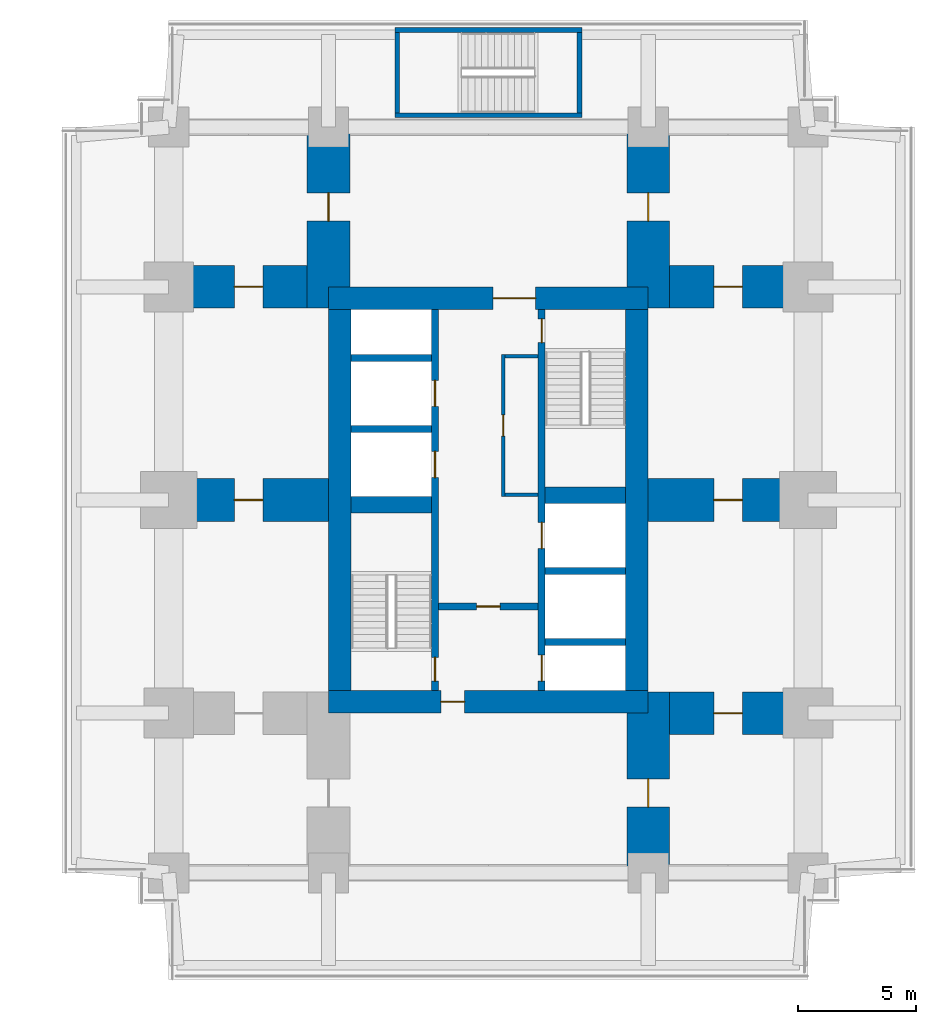
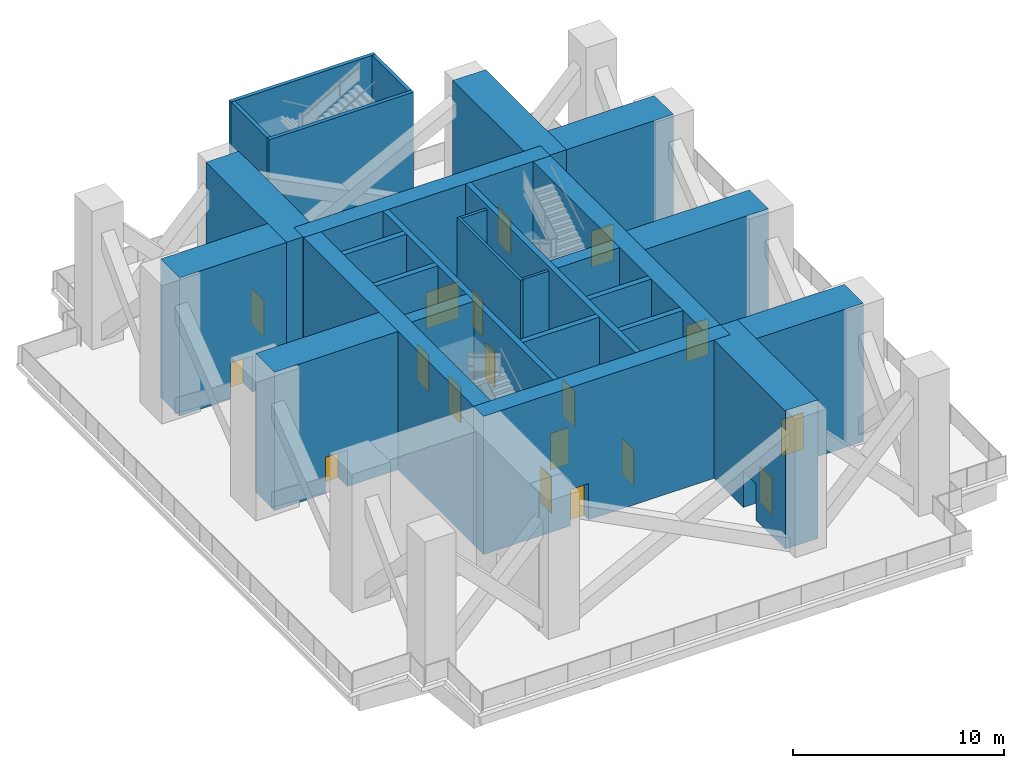
# One storey, part 5 of 12: 28 walls, 18 doors, 18 openings.
"""IFC4 building model written with IfcOpenShell, lengths in metres."""

from ifc_helpers import new_model, si_unit, direction, frame, frame_2d, origin, place, context, subcontext, project, spatial, rectangle, extrude, material, layer, layer_set, type_object, element, fill, save


model = new_model("IFC4")

# Units and contexts
model_context = context("Model", 3, precision=1e-05, world=origin(), true_north=direction((0.0, 1.0)))
body_context = subcontext(model_context, "Body", "Model", "MODEL_VIEW")
ifc_project = project(units=[si_unit("LENGTHUNIT", "METRE"), si_unit("AREAUNIT", "SQUARE_METRE"), si_unit("VOLUMEUNIT", "CUBIC_METRE"), si_unit("PLANEANGLEUNIT", "RADIAN"), si_unit("MASSUNIT", "GRAM", prefix="KILO")], contexts=[model_context])

# Site, building, storey
site_placement = place(None, origin())
site = spatial("IfcSite", under=ifc_project, at=site_placement, CompositionType="ELEMENT")
building_placement = place(site_placement, origin())
building = spatial("IfcBuilding", under=site, at=building_placement, Name="Namib Vertical Campus", CompositionType="ELEMENT")
storey_placement = place(building_placement, frame((0.0, 0.0, 77.0)))
storey = spatial("IfcBuildingStorey", under=building, at=storey_placement, Name="L18", CompositionType="ELEMENT", Elevation=77.0)

# Wall, openings, doors
ifc_material_1 = material(Name="Concrete C60/75", Category="concrete")
ifc_layer_1 = layer(ifc_material_1, 0.300048828125)
ifc_layer_set_1 = layer_set([ifc_layer_1], Name="Concrete C60/75")
wall_type_1 = type_object("IfcWallType", Name="Core inner wall 300", PredefinedType="SHEAR", material=ifc_layer_set_1)
wall_1_placement = place(storey_placement, frame((78.75, 12.199951171875, 0.0), z_axis=(0.0, 0.0, 1.0), x_axis=(0.0, 1.0, 0.0)))
wall_1 = element("IfcWall", 1, at=wall_1_placement, inside=storey, type_object=wall_type_1, Name="Core inner wall B L18 W1", PredefinedType="SHEAR", context=body_context, shape_type="SweptSolid", body=[
    extrude(rectangle(XDim=16.10009765625, YDim=0.300048828125, at=frame_2d((8.050048828125, 0.0))), origin(), (0.0, 0.0, 1.0), 8.0),
])
opening_1_placement = place(wall_1_placement, frame((0.39990234375, 0.0, 0.0)))
opening_1 = element("IfcOpeningElement", 2, at=opening_1_placement, cuts=wall_1, Name="Opening FD1", PredefinedType="OPENING", context=body_context, shape_type="SweptSolid", body=[
    extrude(rectangle(XDim=1.0, YDim=2.10009765625, at=frame_2d((0.5, 1.050048828125))), frame((0.0, 0.159912109375, 0.0), z_axis=(0.0, -1.0, 0.0), x_axis=(1.0, 0.0, 0.0)), (0.0, 0.0, 1.0), 0.320068359375),
])
opening_2_placement = place(wall_1_placement, frame((9.0, 0.0, 0.0)))
opening_2 = element("IfcOpeningElement", 3, at=opening_2_placement, cuts=wall_1, Name="Opening LD1", PredefinedType="OPENING", context=body_context, shape_type="SweptSolid", body=[
    extrude(rectangle(XDim=1.10009765625, YDim=2.10009765625, at=frame_2d((0.550048828125, 1.050048828125))), frame((0.0, 0.159912109375, 0.0), z_axis=(0.0, -1.0, 0.0), x_axis=(1.0, 0.0, 0.0)), (0.0, 0.0, 1.0), 0.320068359375),
])
opening_3_placement = place(wall_1_placement, frame((12.0, 0.0, 0.0)))
opening_3 = element("IfcOpeningElement", 4, at=opening_3_placement, cuts=wall_1, Name="Opening LD1", PredefinedType="OPENING", context=body_context, shape_type="SweptSolid", body=[
    extrude(rectangle(XDim=1.10009765625, YDim=2.10009765625, at=frame_2d((0.550048828125, 1.050048828125))), frame((0.0, 0.159912109375, 0.0), z_axis=(0.0, -1.0, 0.0), x_axis=(1.0, 0.0, 0.0)), (0.0, 0.0, 1.0), 0.320068359375),
])
ifc_material_2 = material(Name="Steel fire door", Category="steel")
door_type_1 = type_object("IfcDoorType", Name="Fire door 1000x2100", OperationType="SINGLE_SWING_RIGHT", PredefinedType="DOOR", material=ifc_material_2)
door_1_placement = place(opening_1_placement, origin())
door_1 = element("IfcDoor", 5, at=door_1_placement, inside=storey, type_object=door_type_1, Name="Stair door FD1 B L18 S1", OperationType="SINGLE_SWING_LEFT", OverallHeight=2.10009765625, OverallWidth=1.0, PredefinedType="DOOR", context=body_context, shape_type="SweptSolid", body=[
    extrude(rectangle(XDim=1.0, YDim=2.10009765625, at=frame_2d((0.5, 1.050048828125))), frame((0.0, 0.02490234375, 0.0), z_axis=(0.0, -1.0, 0.0), x_axis=(1.0, 0.0, 0.0)), (0.0, 0.0, 1.0), 0.050048828125),
])
fill(opening_1, door_1)
ifc_material_3 = material(Name="Stainless steel lift door", Category="steel")
door_type_2 = type_object("IfcDoorType", Name="Lift landing door 1100x2100", OperationType="DOUBLE_DOOR_SLIDING", PredefinedType="DOOR", material=ifc_material_3)
door_2_placement = place(opening_2_placement, origin())
door_2 = element("IfcDoor", 6, at=door_2_placement, inside=storey, type_object=door_type_2, Name="Lift landing door LD1 B-P1 L18", OperationType="DOUBLE_DOOR_SLIDING", OverallHeight=2.10009765625, OverallWidth=1.10009765625, PredefinedType="DOOR", context=body_context, shape_type="SweptSolid", body=[
    extrude(rectangle(XDim=1.10009765625, YDim=2.10009765625, at=frame_2d((0.550048828125, 1.050048828125))), frame((0.0, 0.02490234375, 0.0), z_axis=(0.0, -1.0, 0.0), x_axis=(1.0, 0.0, 0.0)), (0.0, 0.0, 1.0), 0.050048828125),
])
fill(opening_2, door_2)
door_3_placement = place(opening_3_placement, origin())
door_3 = element("IfcDoor", 7, at=door_3_placement, inside=storey, type_object=door_type_2, Name="Lift landing door LD1 B-P2 L18", OperationType="DOUBLE_DOOR_SLIDING", OverallHeight=2.10009765625, OverallWidth=1.10009765625, PredefinedType="DOOR", context=body_context, shape_type="SweptSolid", body=[
    extrude(rectangle(XDim=1.10009765625, YDim=2.10009765625, at=frame_2d((0.550048828125, 1.050048828125))), frame((0.0, 0.02490234375, 0.0), z_axis=(0.0, -1.0, 0.0), x_axis=(1.0, 0.0, 0.0)), (0.0, 0.0, 1.0), 0.050048828125),
])
fill(opening_3, door_3)

wall_2_placement = place(storey_placement, frame((83.25, 12.199951171875, 0.0), z_axis=(0.0, 0.0, 1.0), x_axis=(0.0, 1.0, 0.0)))
wall_2 = element("IfcWall", 8, at=wall_2_placement, inside=storey, type_object=wall_type_1, Name="Core inner wall B L18 W2", PredefinedType="SHEAR", context=body_context, shape_type="SweptSolid", body=[
    extrude(rectangle(XDim=16.10009765625, YDim=0.300048828125, at=frame_2d((8.050048828125, 0.0))), origin(), (0.0, 0.0, 1.0), 8.0),
])
opening_4_placement = place(wall_2_placement, frame((14.699951171875, 0.0, 0.0)))
opening_4 = element("IfcOpeningElement", 9, at=opening_4_placement, cuts=wall_2, Name="Opening FD1", PredefinedType="OPENING", context=body_context, shape_type="SweptSolid", body=[
    extrude(rectangle(XDim=1.0, YDim=2.10009765625, at=frame_2d((0.5, 1.050048828125))), frame((0.0, 0.159912109375, 0.0), z_axis=(0.0, -1.0, 0.0), x_axis=(1.0, 0.0, 0.0)), (0.0, 0.0, 1.0), 0.320068359375),
])
opening_5_placement = place(wall_2_placement, frame((0.39990234375, 0.0, 0.0)))
opening_5 = element("IfcOpeningElement", 10, at=opening_5_placement, cuts=wall_2, Name="Opening LD1", PredefinedType="OPENING", context=body_context, shape_type="SweptSolid", body=[
    extrude(rectangle(XDim=1.10009765625, YDim=2.10009765625, at=frame_2d((0.550048828125, 1.050048828125))), frame((0.0, 0.159912109375, 0.0), z_axis=(0.0, -1.0, 0.0), x_axis=(1.0, 0.0, 0.0)), (0.0, 0.0, 1.0), 0.320068359375),
])
opening_6_placement = place(wall_2_placement, frame((6.0, 0.0, 0.0)))
opening_6 = element("IfcOpeningElement", 11, at=opening_6_placement, cuts=wall_2, Name="Opening LD1", PredefinedType="OPENING", context=body_context, shape_type="SweptSolid", body=[
    extrude(rectangle(XDim=1.10009765625, YDim=2.10009765625, at=frame_2d((0.550048828125, 1.050048828125))), frame((0.0, 0.159912109375, 0.0), z_axis=(0.0, -1.0, 0.0), x_axis=(1.0, 0.0, 0.0)), (0.0, 0.0, 1.0), 0.320068359375),
])
door_4_placement = place(opening_4_placement, frame((1.0, 0.0, 0.0), z_axis=(0.0, 0.0, 1.0), x_axis=(-1.0, 0.0, 0.0)))
door_4 = element("IfcDoor", 12, at=door_4_placement, inside=storey, type_object=door_type_1, Name="Stair door FD1 B L18 S2", OperationType="SINGLE_SWING_LEFT", OverallHeight=2.10009765625, OverallWidth=1.0, PredefinedType="DOOR", context=body_context, shape_type="SweptSolid", body=[
    extrude(rectangle(XDim=1.0, YDim=2.10009765625, at=frame_2d((0.5, 1.050048828125))), frame((0.0, 0.02490234375, 0.0), z_axis=(0.0, -1.0, 0.0), x_axis=(1.0, 0.0, 0.0)), (0.0, 0.0, 1.0), 0.050048828125),
])
fill(opening_4, door_4)
door_5_placement = place(opening_5_placement, origin())
door_5 = element("IfcDoor", 13, at=door_5_placement, inside=storey, type_object=door_type_2, Name="Lift landing door LD1 B-FL1 L18", OperationType="DOUBLE_DOOR_SLIDING", OverallHeight=2.10009765625, OverallWidth=1.10009765625, PredefinedType="DOOR", context=body_context, shape_type="SweptSolid", body=[
    extrude(rectangle(XDim=1.10009765625, YDim=2.10009765625, at=frame_2d((0.550048828125, 1.050048828125))), frame((0.0, 0.02490234375, 0.0), z_axis=(0.0, -1.0, 0.0), x_axis=(1.0, 0.0, 0.0)), (0.0, 0.0, 1.0), 0.050048828125),
])
fill(opening_5, door_5)
door_6_placement = place(opening_6_placement, origin())
door_6 = element("IfcDoor", 14, at=door_6_placement, inside=storey, type_object=door_type_2, Name="Lift landing door LD1 B-P5 L18", OperationType="DOUBLE_DOOR_SLIDING", OverallHeight=2.10009765625, OverallWidth=1.10009765625, PredefinedType="DOOR", context=body_context, shape_type="SweptSolid", body=[
    extrude(rectangle(XDim=1.10009765625, YDim=2.10009765625, at=frame_2d((0.550048828125, 1.050048828125))), frame((0.0, 0.02490234375, 0.0), z_axis=(0.0, -1.0, 0.0), x_axis=(1.0, 0.0, 0.0)), (0.0, 0.0, 1.0), 0.050048828125),
])
fill(opening_6, door_6)

# Wall, opening, door
wall_3_placement = place(storey_placement, frame((78.89990234375, 15.75, 0.0), z_axis=(0.0, 0.0, 1.0), x_axis=(1.0, 0.0, 0.0)))
wall_3 = element("IfcWall", 15, at=wall_3_placement, inside=storey, type_object=wall_type_1, Name="Core inner wall B L18 W4", PredefinedType="SHEAR", context=body_context, shape_type="SweptSolid", body=[
    extrude(rectangle(XDim=4.2001953125, YDim=0.300048828125, at=frame_2d((2.10009765625, 0.0))), origin(), (0.0, 0.0, 1.0), 8.0),
])
opening_7_placement = place(wall_3_placement, frame((1.60009765625, 0.0, 0.0)))
opening_7 = element("IfcOpeningElement", 16, at=opening_7_placement, cuts=wall_3, Name="Opening FD5", PredefinedType="OPENING", context=body_context, shape_type="SweptSolid", body=[
    extrude(rectangle(XDim=1.0, YDim=2.10009765625, at=frame_2d((0.5, 1.050048828125))), frame((0.0, 0.159912109375, 0.0), z_axis=(0.0, -1.0, 0.0), x_axis=(1.0, 0.0, 0.0)), (0.0, 0.0, 1.0), 0.320068359375),
])
ifc_material_4 = material(Name="Steel fire door", Category="steel")
door_type_3 = type_object("IfcDoorType", Name="Fire door 1000x2100 120 min", OperationType="SINGLE_SWING_RIGHT", PredefinedType="DOOR", material=ifc_material_4)
door_7_placement = place(opening_7_placement, frame((1.0, 0.0, 0.0), z_axis=(0.0, 0.0, 1.0), x_axis=(-1.0, 0.0, 0.0)))
door_7 = element("IfcDoor", 17, at=door_7_placement, inside=storey, type_object=door_type_3, Name="Lobby door FD5 B L18", OperationType="SINGLE_SWING_RIGHT", OverallHeight=2.10009765625, OverallWidth=1.0, PredefinedType="DOOR", context=body_context, shape_type="SweptSolid", body=[
    extrude(rectangle(XDim=1.0, YDim=2.10009765625, at=frame_2d((0.5, 1.050048828125))), frame((0.0, 0.02490234375, 0.0), z_axis=(0.0, -1.0, 0.0), x_axis=(1.0, 0.0, 0.0)), (0.0, 0.0, 1.0), 0.050048828125),
])
fill(opening_7, door_7)

# Walls
for number, where, z_axis, x_axis, name in (
    (18, (83.39990234375, 14.25, 0.0), (0.0, 0.0, 1.0), (1.0, 0.0, 0.0), "Core inner wall B L18 W5"),
    (19, (83.39990234375, 17.25, 0.0), (0.0, 0.0, 1.0), (1.0, 0.0, 0.0), "Core inner wall B L18 W6"),
    (20, (75.199951171875, 23.25, 0.0), (0.0, 0.0, 1.0), (1.0, 0.0, 0.0), "Core inner wall B L18 W8"),
    (21, (75.199951171875, 26.25, 0.0), (0.0, 0.0, 1.0), (1.0, 0.0, 0.0), "Core inner wall B L18 W9"),
):
    element("IfcWall", number, at=place(storey_placement, frame(where, z_axis=z_axis, x_axis=x_axis)), inside=storey, type_object=wall_type_1, Name=name, PredefinedType="SHEAR", context=body_context, shape_type="SweptSolid", body=[
        extrude(rectangle(XDim=3.400146484375, YDim=0.300048828125, at=frame_2d((1.7001953125, 0.0))), origin(), (0.0, 0.0, 1.0), 8.0),
    ])
ifc_material_5 = material(Name="Concrete C60/75", Category="concrete")
ifc_layer_2 = layer(ifc_material_5, 0.699951171875)
ifc_layer_set_2 = layer_set([ifc_layer_2], Name="Concrete C60/75")
wall_type_2 = type_object("IfcWallType", Name="Core shear wall 700", PredefinedType="SHEAR", material=ifc_layer_set_2)
for number, where, z_axis, x_axis, name in (
    (22, (75.199951171875, 20.050048828125, 0.0), (0.0, 0.0, 1.0), (1.0, 0.0, 0.0), "Core shear wall B L18 W3"),
    (23, (83.39990234375, 20.449951171875, 0.0), (0.0, 0.0, 1.0), (1.0, 0.0, 0.0), "Core shear wall B L18 W7"),
):
    element("IfcWall", number, at=place(storey_placement, frame(where, z_axis=z_axis, x_axis=x_axis)), inside=storey, type_object=wall_type_2, Name=name, PredefinedType="SHEAR", context=body_context, shape_type="SweptSolid", body=[
        extrude(rectangle(XDim=3.400146484375, YDim=0.699951171875, at=frame_2d((1.7001953125, 0.0))), origin(), (0.0, 0.0, 1.0), 8.0),
    ])

# Wall, opening, door
ifc_material_6 = material(Name="Concrete C60/75", Category="concrete")
ifc_layer_3 = layer(ifc_material_6, 0.949951171875)
ifc_layer_set_3 = layer_set([ifc_layer_3], Name="Concrete C60/75")
wall_type_3 = type_object("IfcWallType", Name="Core wall 950", PredefinedType="SHEAR", material=ifc_layer_set_3)
wall_4_placement = place(storey_placement, frame((74.25, 11.72509765625, 0.0), z_axis=(0.0, 0.0, 1.0), x_axis=(1.0, 0.0, 0.0)))
wall_4 = element("IfcWall", 24, at=wall_4_placement, inside=storey, type_object=wall_type_3, Name="Core wall B L18 1", PredefinedType="SHEAR", context=body_context, shape_type="SweptSolid", body=[
    extrude(rectangle(XDim=13.5, YDim=0.949951171875, at=frame_2d((6.75, 0.0))), origin(), (0.0, 0.0, 1.0), 8.0),
])
opening_8_placement = place(wall_4_placement, frame((4.75, 0.0, 0.0)))
opening_8 = element("IfcOpeningElement", 25, at=opening_8_placement, cuts=wall_4, Name="Opening FD5", PredefinedType="OPENING", context=body_context, shape_type="SweptSolid", body=[
    extrude(rectangle(XDim=1.0, YDim=2.10009765625, at=frame_2d((0.5, 1.050048828125))), frame((0.0, 0.48486328125, 0.0), z_axis=(0.0, -1.0, 0.0), x_axis=(1.0, 0.0, 0.0)), (0.0, 0.0, 1.0), 0.969970703125),
])
door_8_placement = place(opening_8_placement, frame((1.0, 0.0, 0.0), z_axis=(0.0, 0.0, 1.0), x_axis=(-1.0, 0.0, 0.0)))
door_8 = element("IfcDoor", 26, at=door_8_placement, inside=storey, type_object=door_type_3, Name="Firefighting lobby door FD5 B L18", OperationType="SINGLE_SWING_LEFT", OverallHeight=2.10009765625, OverallWidth=1.0, PredefinedType="DOOR", context=body_context, shape_type="SweptSolid", body=[
    extrude(rectangle(XDim=1.0, YDim=2.10009765625, at=frame_2d((0.5, 1.050048828125))), frame((0.0, 0.02490234375, 0.0), z_axis=(0.0, -1.0, 0.0), x_axis=(1.0, 0.0, 0.0)), (0.0, 0.0, 1.0), 0.050048828125),
])
fill(opening_8, door_8)

# Wall
wall_5_placement = place(storey_placement, frame((87.27490234375, 12.199951171875, 0.0), z_axis=(0.0, 0.0, 1.0), x_axis=(0.0, 1.0, 0.0)))
element("IfcWall", 27, at=wall_5_placement, inside=storey, type_object=wall_type_3, Name="Core wall B L18 2", PredefinedType="SHEAR", context=body_context, shape_type="SweptSolid", body=[
    extrude(rectangle(XDim=16.10009765625, YDim=0.949951171875, at=frame_2d((8.050048828125, 0.0))), origin(), (0.0, 0.0, 1.0), 8.0),
])

# Wall, opening, door
wall_6_placement = place(storey_placement, frame((87.75, 28.77490234375, 0.0), z_axis=(0.0, 0.0, 1.0), x_axis=(-1.0, 0.0, 0.0)))
wall_6 = element("IfcWall", 28, at=wall_6_placement, inside=storey, type_object=wall_type_3, Name="Core wall B L18 3", PredefinedType="SHEAR", context=body_context, shape_type="SweptSolid", body=[
    extrude(rectangle(XDim=13.5, YDim=0.949951171875, at=frame_2d((6.75, 0.0))), origin(), (0.0, 0.0, 1.0), 8.0),
])
opening_9_placement = place(wall_6_placement, frame((4.75, 0.0, 0.0)))
opening_9 = element("IfcOpeningElement", 29, at=opening_9_placement, cuts=wall_6, Name="Opening FD2", PredefinedType="OPENING", context=body_context, shape_type="SweptSolid", body=[
    extrude(rectangle(XDim=1.800048828125, YDim=2.10009765625, at=frame_2d((0.89990234375, 1.050048828125))), frame((0.0, 0.48486328125, 0.0), z_axis=(0.0, -1.0, 0.0), x_axis=(1.0, 0.0, 0.0)), (0.0, 0.0, 1.0), 0.969970703125),
])
ifc_material_7 = material(Name="Steel fire door", Category="steel")
door_type_4 = type_object("IfcDoorType", Name="Fire door double 1800x2100", OperationType="DOUBLE_DOOR_SINGLE_SWING", PredefinedType="DOOR", material=ifc_material_7)
door_9_placement = place(opening_9_placement, frame((1.800048828125, 0.0, 0.0), z_axis=(0.0, 0.0, 1.0), x_axis=(-1.0, 0.0, 0.0)))
door_9 = element("IfcDoor", 30, at=door_9_placement, inside=storey, type_object=door_type_4, Name="Lift lobby door FD2 B L18", OperationType="DOUBLE_DOOR_SINGLE_SWING", OverallHeight=2.10009765625, OverallWidth=1.800048828125, PredefinedType="DOOR", context=body_context, shape_type="SweptSolid", body=[
    extrude(rectangle(XDim=1.800048828125, YDim=2.10009765625, at=frame_2d((0.89990234375, 1.050048828125))), frame((0.0, 0.02490234375, 0.0), z_axis=(0.0, -1.0, 0.0), x_axis=(1.0, 0.0, 0.0)), (0.0, 0.0, 1.0), 0.050048828125),
])
fill(opening_9, door_9)

# Wall
wall_7_placement = place(storey_placement, frame((74.72509765625, 28.300048828125, 0.0), z_axis=(0.0, 0.0, 1.0), x_axis=(0.0, -1.0, 0.0)))
element("IfcWall", 31, at=wall_7_placement, inside=storey, type_object=wall_type_3, Name="Core wall B L18 4", PredefinedType="SHEAR", context=body_context, shape_type="SweptSolid", body=[
    extrude(rectangle(XDim=16.10009765625, YDim=0.949951171875, at=frame_2d((8.050048828125, 0.0))), origin(), (0.0, 0.0, 1.0), 8.0),
])

# Wall, opening, door
ifc_material_8 = material(Name="Concrete C60/75", Category="concrete")
ifc_layer_4 = layer(ifc_material_8, 1.800048828125)
ifc_layer_set_4 = layer_set([ifc_layer_4], Name="Concrete C60/75")
wall_type_4 = type_object("IfcWallType", Name="Outrigger wall 1800", PredefinedType="SHEAR", material=ifc_layer_set_4)
wall_8_placement = place(storey_placement, frame((87.75, 4.5, 0.0), z_axis=(0.0, 0.0, 1.0), x_axis=(0.0, 1.0, 0.0)))
wall_8 = element("IfcWall", 32, at=wall_8_placement, inside=storey, type_object=wall_type_4, Name="Outrigger wall B L18 OR2", PredefinedType="SHEAR", context=body_context, shape_type="SweptSolid", body=[
    extrude(rectangle(XDim=7.64990234375, YDim=1.800048828125, at=frame_2d((3.824951171875, 0.0))), origin(), (0.0, 0.0, 1.0), 8.0),
])
opening_10_placement = place(wall_8_placement, frame((2.77490234375, 0.0, 0.0)))
opening_10 = element("IfcOpeningElement", 33, at=opening_10_placement, cuts=wall_8, Name="Opening RD1", PredefinedType="OPENING", context=body_context, shape_type="SweptSolid", body=[
    extrude(rectangle(XDim=1.199951171875, YDim=2.10009765625, at=frame_2d((0.60009765625, 1.050048828125))), frame((0.0, 0.909912109375, 0.0), z_axis=(0.0, -1.0, 0.0), x_axis=(1.0, 0.0, 0.0)), (0.0, 0.0, 1.0), 1.820068359375),
])
ifc_material_9 = material(Name="Steel fire door", Category="steel")
door_type_5 = type_object("IfcDoorType", Name="Refuge door 1200x2100", OperationType="DOUBLE_DOOR_DOUBLE_SWING", PredefinedType="DOOR", material=ifc_material_9)
door_10_placement = place(opening_10_placement, origin())
door_10 = element("IfcDoor", 34, at=door_10_placement, inside=storey, type_object=door_type_5, Name="Refuge door RD1 B L18 OR2", OperationType="DOUBLE_DOOR_DOUBLE_SWING", OverallHeight=2.10009765625, OverallWidth=1.199951171875, PredefinedType="DOOR", context=body_context, shape_type="SweptSolid", body=[
    extrude(rectangle(XDim=1.199951171875, YDim=2.10009765625, at=frame_2d((0.60009765625, 1.050048828125))), frame((0.0, 0.02490234375, 0.0), z_axis=(0.0, -1.0, 0.0), x_axis=(1.0, 0.0, 0.0)), (0.0, 0.0, 1.0), 0.050048828125),
])
fill(opening_10, door_10)

wall_9_placement = place(storey_placement, frame((74.25, 28.35009765625, 0.0), z_axis=(0.0, 0.0, 1.0), x_axis=(0.0, 1.0, 0.0)))
wall_9 = element("IfcWall", 35, at=wall_9_placement, inside=storey, type_object=wall_type_4, Name="Outrigger wall B L18 OR3", PredefinedType="SHEAR", context=body_context, shape_type="SweptSolid", body=[
    extrude(rectangle(XDim=7.64990234375, YDim=1.800048828125, at=frame_2d((3.824951171875, 0.0))), origin(), (0.0, 0.0, 1.0), 8.0),
])
opening_11_placement = place(wall_9_placement, frame((3.675048828125, 0.0, 0.0)))
opening_11 = element("IfcOpeningElement", 36, at=opening_11_placement, cuts=wall_9, Name="Opening RD1", PredefinedType="OPENING", context=body_context, shape_type="SweptSolid", body=[
    extrude(rectangle(XDim=1.199951171875, YDim=2.10009765625, at=frame_2d((0.60009765625, 1.050048828125))), frame((0.0, 0.909912109375, 0.0), z_axis=(0.0, -1.0, 0.0), x_axis=(1.0, 0.0, 0.0)), (0.0, 0.0, 1.0), 1.820068359375),
])
door_11_placement = place(opening_11_placement, origin())
door_11 = element("IfcDoor", 37, at=door_11_placement, inside=storey, type_object=door_type_5, Name="Refuge door RD1 B L18 OR3", OperationType="DOUBLE_DOOR_DOUBLE_SWING", OverallHeight=2.10009765625, OverallWidth=1.199951171875, PredefinedType="DOOR", context=body_context, shape_type="SweptSolid", body=[
    extrude(rectangle(XDim=1.199951171875, YDim=2.10009765625, at=frame_2d((0.60009765625, 1.050048828125))), frame((0.0, 0.02490234375, 0.0), z_axis=(0.0, -1.0, 0.0), x_axis=(1.0, 0.0, 0.0)), (0.0, 0.0, 1.0), 0.050048828125),
])
fill(opening_11, door_11)

wall_10_placement = place(storey_placement, frame((87.75, 28.35009765625, 0.0), z_axis=(0.0, 0.0, 1.0), x_axis=(0.0, 1.0, 0.0)))
wall_10 = element("IfcWall", 38, at=wall_10_placement, inside=storey, type_object=wall_type_4, Name="Outrigger wall B L18 OR4", PredefinedType="SHEAR", context=body_context, shape_type="SweptSolid", body=[
    extrude(rectangle(XDim=7.64990234375, YDim=1.800048828125, at=frame_2d((3.824951171875, 0.0))), origin(), (0.0, 0.0, 1.0), 8.0),
])
opening_12_placement = place(wall_10_placement, frame((3.675048828125, 0.0, 0.0)))
opening_12 = element("IfcOpeningElement", 39, at=opening_12_placement, cuts=wall_10, Name="Opening RD1", PredefinedType="OPENING", context=body_context, shape_type="SweptSolid", body=[
    extrude(rectangle(XDim=1.199951171875, YDim=2.10009765625, at=frame_2d((0.60009765625, 1.050048828125))), frame((0.0, 0.909912109375, 0.0), z_axis=(0.0, -1.0, 0.0), x_axis=(1.0, 0.0, 0.0)), (0.0, 0.0, 1.0), 1.820068359375),
])
door_12_placement = place(opening_12_placement, origin())
door_12 = element("IfcDoor", 40, at=door_12_placement, inside=storey, type_object=door_type_5, Name="Refuge door RD1 B L18 OR4", OperationType="DOUBLE_DOOR_DOUBLE_SWING", OverallHeight=2.10009765625, OverallWidth=1.199951171875, PredefinedType="DOOR", context=body_context, shape_type="SweptSolid", body=[
    extrude(rectangle(XDim=1.199951171875, YDim=2.10009765625, at=frame_2d((0.60009765625, 1.050048828125))), frame((0.0, 0.02490234375, 0.0), z_axis=(0.0, -1.0, 0.0), x_axis=(1.0, 0.0, 0.0)), (0.0, 0.0, 1.0), 0.050048828125),
])
fill(opening_12, door_12)

wall_11_placement = place(storey_placement, frame((67.5, 20.25, 0.0), z_axis=(0.0, 0.0, 1.0), x_axis=(1.0, 0.0, 0.0)))
wall_11 = element("IfcWall", 41, at=wall_11_placement, inside=storey, type_object=wall_type_4, Name="Outrigger wall B L18 OR5", PredefinedType="SHEAR", context=body_context, shape_type="SweptSolid", body=[
    extrude(rectangle(XDim=6.75, YDim=1.800048828125, at=frame_2d((3.375, 0.0))), origin(), (0.0, 0.0, 1.0), 8.0),
])
opening_13_placement = place(wall_11_placement, frame((2.77490234375, 0.0, 0.0)))
opening_13 = element("IfcOpeningElement", 42, at=opening_13_placement, cuts=wall_11, Name="Opening RD1", PredefinedType="OPENING", context=body_context, shape_type="SweptSolid", body=[
    extrude(rectangle(XDim=1.199951171875, YDim=2.10009765625, at=frame_2d((0.60009765625, 1.050048828125))), frame((0.0, 0.909912109375, 0.0), z_axis=(0.0, -1.0, 0.0), x_axis=(1.0, 0.0, 0.0)), (0.0, 0.0, 1.0), 1.820068359375),
])
door_13_placement = place(opening_13_placement, origin())
door_13 = element("IfcDoor", 43, at=door_13_placement, inside=storey, type_object=door_type_5, Name="Refuge door RD1 B L18 OR5", OperationType="DOUBLE_DOOR_DOUBLE_SWING", OverallHeight=2.10009765625, OverallWidth=1.199951171875, PredefinedType="DOOR", context=body_context, shape_type="SweptSolid", body=[
    extrude(rectangle(XDim=1.199951171875, YDim=2.10009765625, at=frame_2d((0.60009765625, 1.050048828125))), frame((0.0, 0.02490234375, 0.0), z_axis=(0.0, -1.0, 0.0), x_axis=(1.0, 0.0, 0.0)), (0.0, 0.0, 1.0), 0.050048828125),
])
fill(opening_13, door_13)

wall_12_placement = place(storey_placement, frame((87.75, 20.25, 0.0), z_axis=(0.0, 0.0, 1.0), x_axis=(1.0, 0.0, 0.0)))
wall_12 = element("IfcWall", 44, at=wall_12_placement, inside=storey, type_object=wall_type_4, Name="Outrigger wall B L18 OR6", PredefinedType="SHEAR", context=body_context, shape_type="SweptSolid", body=[
    extrude(rectangle(XDim=6.75, YDim=1.800048828125, at=frame_2d((3.375, 0.0))), origin(), (0.0, 0.0, 1.0), 8.0),
])
opening_14_placement = place(wall_12_placement, frame((2.77490234375, 0.0, 0.0)))
opening_14 = element("IfcOpeningElement", 45, at=opening_14_placement, cuts=wall_12, Name="Opening RD1", PredefinedType="OPENING", context=body_context, shape_type="SweptSolid", body=[
    extrude(rectangle(XDim=1.199951171875, YDim=2.10009765625, at=frame_2d((0.60009765625, 1.050048828125))), frame((0.0, 0.909912109375, 0.0), z_axis=(0.0, -1.0, 0.0), x_axis=(1.0, 0.0, 0.0)), (0.0, 0.0, 1.0), 1.820068359375),
])
door_14_placement = place(opening_14_placement, origin())
door_14 = element("IfcDoor", 46, at=door_14_placement, inside=storey, type_object=door_type_5, Name="Refuge door RD1 B L18 OR6", OperationType="DOUBLE_DOOR_DOUBLE_SWING", OverallHeight=2.10009765625, OverallWidth=1.199951171875, PredefinedType="DOOR", context=body_context, shape_type="SweptSolid", body=[
    extrude(rectangle(XDim=1.199951171875, YDim=2.10009765625, at=frame_2d((0.60009765625, 1.050048828125))), frame((0.0, 0.02490234375, 0.0), z_axis=(0.0, -1.0, 0.0), x_axis=(1.0, 0.0, 0.0)), (0.0, 0.0, 1.0), 0.050048828125),
])
fill(opening_14, door_14)

wall_13_placement = place(storey_placement, frame((88.64990234375, 11.25, 0.0), z_axis=(0.0, 0.0, 1.0), x_axis=(1.0, 0.0, 0.0)))
wall_13 = element("IfcWall", 47, at=wall_13_placement, inside=storey, type_object=wall_type_4, Name="Outrigger wall B L18 OR8", PredefinedType="SHEAR", context=body_context, shape_type="SweptSolid", body=[
    extrude(rectangle(XDim=5.85009765625, YDim=1.800048828125, at=frame_2d((2.925048828125, 0.0))), origin(), (0.0, 0.0, 1.0), 8.0),
])
opening_15_placement = place(wall_13_placement, frame((1.875, 0.0, 0.0)))
opening_15 = element("IfcOpeningElement", 48, at=opening_15_placement, cuts=wall_13, Name="Opening RD1", PredefinedType="OPENING", context=body_context, shape_type="SweptSolid", body=[
    extrude(rectangle(XDim=1.199951171875, YDim=2.10009765625, at=frame_2d((0.60009765625, 1.050048828125))), frame((0.0, 0.909912109375, 0.0), z_axis=(0.0, -1.0, 0.0), x_axis=(1.0, 0.0, 0.0)), (0.0, 0.0, 1.0), 1.820068359375),
])
door_15_placement = place(opening_15_placement, origin())
door_15 = element("IfcDoor", 49, at=door_15_placement, inside=storey, type_object=door_type_5, Name="Refuge door RD1 B L18 OR8", OperationType="DOUBLE_DOOR_DOUBLE_SWING", OverallHeight=2.10009765625, OverallWidth=1.199951171875, PredefinedType="DOOR", context=body_context, shape_type="SweptSolid", body=[
    extrude(rectangle(XDim=1.199951171875, YDim=2.10009765625, at=frame_2d((0.60009765625, 1.050048828125))), frame((0.0, 0.02490234375, 0.0), z_axis=(0.0, -1.0, 0.0), x_axis=(1.0, 0.0, 0.0)), (0.0, 0.0, 1.0), 0.050048828125),
])
fill(opening_15, door_15)

wall_14_placement = place(storey_placement, frame((67.5, 29.25, 0.0), z_axis=(0.0, 0.0, 1.0), x_axis=(1.0, 0.0, 0.0)))
wall_14 = element("IfcWall", 50, at=wall_14_placement, inside=storey, type_object=wall_type_4, Name="Outrigger wall B L18 OR9", PredefinedType="SHEAR", context=body_context, shape_type="SweptSolid", body=[
    extrude(rectangle(XDim=5.85009765625, YDim=1.800048828125, at=frame_2d((2.925048828125, 0.0))), origin(), (0.0, 0.0, 1.0), 8.0),
])
opening_16_placement = place(wall_14_placement, frame((2.77490234375, 0.0, 0.0)))
opening_16 = element("IfcOpeningElement", 51, at=opening_16_placement, cuts=wall_14, Name="Opening RD1", PredefinedType="OPENING", context=body_context, shape_type="SweptSolid", body=[
    extrude(rectangle(XDim=1.199951171875, YDim=2.10009765625, at=frame_2d((0.60009765625, 1.050048828125))), frame((0.0, 0.909912109375, 0.0), z_axis=(0.0, -1.0, 0.0), x_axis=(1.0, 0.0, 0.0)), (0.0, 0.0, 1.0), 1.820068359375),
])
door_16_placement = place(opening_16_placement, origin())
door_16 = element("IfcDoor", 52, at=door_16_placement, inside=storey, type_object=door_type_5, Name="Refuge door RD1 B L18 OR9", OperationType="DOUBLE_DOOR_DOUBLE_SWING", OverallHeight=2.10009765625, OverallWidth=1.199951171875, PredefinedType="DOOR", context=body_context, shape_type="SweptSolid", body=[
    extrude(rectangle(XDim=1.199951171875, YDim=2.10009765625, at=frame_2d((0.60009765625, 1.050048828125))), frame((0.0, 0.02490234375, 0.0), z_axis=(0.0, -1.0, 0.0), x_axis=(1.0, 0.0, 0.0)), (0.0, 0.0, 1.0), 0.050048828125),
])
fill(opening_16, door_16)

wall_15_placement = place(storey_placement, frame((88.64990234375, 29.25, 0.0), z_axis=(0.0, 0.0, 1.0), x_axis=(1.0, 0.0, 0.0)))
wall_15 = element("IfcWall", 53, at=wall_15_placement, inside=storey, type_object=wall_type_4, Name="Outrigger wall B L18 OR10", PredefinedType="SHEAR", context=body_context, shape_type="SweptSolid", body=[
    extrude(rectangle(XDim=5.85009765625, YDim=1.800048828125, at=frame_2d((2.925048828125, 0.0))), origin(), (0.0, 0.0, 1.0), 8.0),
])
opening_17_placement = place(wall_15_placement, frame((1.875, 0.0, 0.0)))
opening_17 = element("IfcOpeningElement", 54, at=opening_17_placement, cuts=wall_15, Name="Opening RD1", PredefinedType="OPENING", context=body_context, shape_type="SweptSolid", body=[
    extrude(rectangle(XDim=1.199951171875, YDim=2.10009765625, at=frame_2d((0.60009765625, 1.050048828125))), frame((0.0, 0.909912109375, 0.0), z_axis=(0.0, -1.0, 0.0), x_axis=(1.0, 0.0, 0.0)), (0.0, 0.0, 1.0), 1.820068359375),
])
door_17_placement = place(opening_17_placement, origin())
door_17 = element("IfcDoor", 55, at=door_17_placement, inside=storey, type_object=door_type_5, Name="Refuge door RD1 B L18 OR10", OperationType="DOUBLE_DOOR_DOUBLE_SWING", OverallHeight=2.10009765625, OverallWidth=1.199951171875, PredefinedType="DOOR", context=body_context, shape_type="SweptSolid", body=[
    extrude(rectangle(XDim=1.199951171875, YDim=2.10009765625, at=frame_2d((0.60009765625, 1.050048828125))), frame((0.0, 0.02490234375, 0.0), z_axis=(0.0, -1.0, 0.0), x_axis=(1.0, 0.0, 0.0)), (0.0, 0.0, 1.0), 0.050048828125),
])
fill(opening_17, door_17)

ifc_material_10 = material(Name="Gypsum board on steel studs", Category="steel")
ifc_layer_5 = layer(ifc_material_10, 0.14990234375)
ifc_layer_set_5 = layer_set([ifc_layer_5], Name="Gypsum board on steel studs")
wall_type_5 = type_object("IfcWallType", Name="Partition 150", PredefinedType="PARTITIONING", material=ifc_layer_set_5)
wall_16_placement = place(storey_placement, frame((81.625, 20.39990234375, 0.0), z_axis=(0.0, 0.0, 1.0), x_axis=(0.0, 1.0, 0.0)))
wall_16 = element("IfcWall", 56, at=wall_16_placement, inside=storey, type_object=wall_type_5, Name="Partition B L18 Store front", PredefinedType="PARTITIONING", context=body_context, shape_type="SweptSolid", body=[
    extrude(rectangle(XDim=6.0, YDim=0.14990234375, at=frame_2d((3.0, 0.0))), origin(), (0.0, 0.0, 1.0), 7.75),
])
opening_18_placement = place(wall_16_placement, frame((2.550048828125, 0.0, 0.0)))
opening_18 = element("IfcOpeningElement", 57, at=opening_18_placement, cuts=wall_16, Name="Opening D3", PredefinedType="OPENING", context=body_context, shape_type="SweptSolid", body=[
    extrude(rectangle(XDim=0.89990234375, YDim=2.10009765625, at=frame_2d((0.449951171875, 1.050048828125))), frame((0.0, 0.0849609375, 0.0), z_axis=(0.0, -1.0, 0.0), x_axis=(1.0, 0.0, 0.0)), (0.0, 0.0, 1.0), 0.169921875),
])
ifc_material_11 = material(Name="Timber door leaf", Category="wood")
door_type_6 = type_object("IfcDoorType", Name="Toilet door 900x2100", OperationType="SINGLE_SWING_LEFT", PredefinedType="DOOR", material=ifc_material_11)
door_18_placement = place(opening_18_placement, frame((0.89990234375, 0.0, 0.0), z_axis=(0.0, 0.0, 1.0), x_axis=(-1.0, 0.0, 0.0)))
door_18 = element("IfcDoor", 58, at=door_18_placement, inside=storey, type_object=door_type_6, Name="Door D3 Store B L18", OperationType="SINGLE_SWING_RIGHT", OverallHeight=2.10009765625, OverallWidth=0.89990234375, PredefinedType="DOOR", context=body_context, shape_type="SweptSolid", body=[
    extrude(rectangle(XDim=0.89990234375, YDim=2.10009765625, at=frame_2d((0.449951171875, 1.050048828125))), frame((0.0, 0.02490234375, 0.0), z_axis=(0.0, -1.0, 0.0), x_axis=(1.0, 0.0, 0.0)), (0.0, 0.0, 1.0), 0.050048828125),
])
fill(opening_18, door_18)

# Walls
for number, where, z_axis, x_axis, name in (
    (59, (81.699951171875, 20.47509765625, 0.0), (0.0, 0.0, 1.0), (1.0, 0.0, 0.0), "Partition B L18 Store end 1"),
    (60, (81.699951171875, 26.324951171875, 0.0), (0.0, 0.0, 1.0), (1.0, 0.0, 0.0), "Partition B L18 Store end 2"),
):
    element("IfcWall", number, at=place(storey_placement, frame(where, z_axis=z_axis, x_axis=x_axis)), inside=storey, type_object=wall_type_5, Name=name, PredefinedType="PARTITIONING", context=body_context, shape_type="SweptSolid", body=[
        extrude(rectangle(XDim=1.400146484375, YDim=0.14990234375, at=frame_2d((0.7001953125, 0.0))), origin(), (0.0, 0.0, 1.0), 7.75),
    ])
ifc_material_12 = material(Name="Concrete C40/50", Category="concrete")
ifc_layer_6 = layer(ifc_material_12, 0.199951171875)
ifc_layer_set_6 = layer_set([ifc_layer_6], Name="Concrete C40/50")
wall_type_6 = type_object("IfcWallType", Name="Stair enclosure wall RC 200", PredefinedType="SOLIDWALL", material=ifc_layer_set_6)
for number, where, z_axis, x_axis, name in (
    (61, (77.050048828125, 36.5, 0.0), (0.0, 0.0, 1.0), (1.0, 0.0, 0.0), "Stair enclosure wall B-S3 L18 S"),
    (62, (77.050048828125, 40.10009765625, 0.0), (0.0, 0.0, 1.0), (1.0, 0.0, 0.0), "Stair enclosure wall B-S3 L18 N"),
):
    element("IfcWall", number, at=place(storey_placement, frame(where, z_axis=z_axis, x_axis=x_axis)), inside=storey, type_object=wall_type_6, Name=name, PredefinedType="SOLIDWALL", context=body_context, shape_type="SweptSolid", body=[
        extrude(rectangle(XDim=7.89990234375, YDim=0.199951171875, at=frame_2d((3.949951171875, 0.0))), origin(), (0.0, 0.0, 1.0), 7.75),
    ])
for number, where, z_axis, x_axis, name in (
    (63, (77.14990234375, 36.60009765625, 0.0), (0.0, 0.0, 1.0), (0.0, 1.0, 0.0), "Stair enclosure wall B-S3 L18 W"),
    (64, (84.85009765625, 36.60009765625, 0.0), (0.0, 0.0, 1.0), (0.0, 1.0, 0.0), "Stair enclosure wall B-S3 L18 E"),
):
    element("IfcWall", number, at=place(storey_placement, frame(where, z_axis=z_axis, x_axis=x_axis)), inside=storey, type_object=wall_type_6, Name=name, PredefinedType="SOLIDWALL", context=body_context, shape_type="SweptSolid", body=[
        extrude(rectangle(XDim=3.39990234375, YDim=0.199951171875, at=frame_2d((1.699951171875, 0.0))), origin(), (0.0, 0.0, 1.0), 7.75),
    ])

save(model, "model.ifc")
